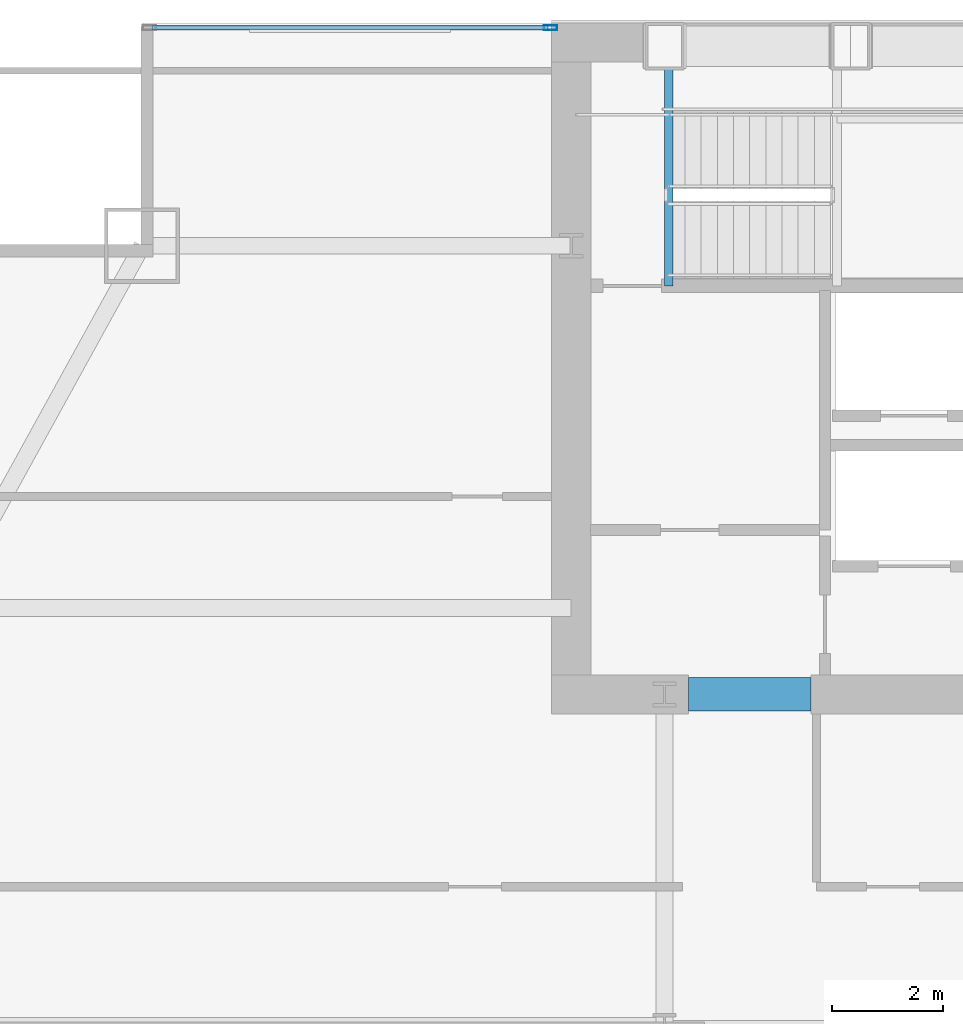
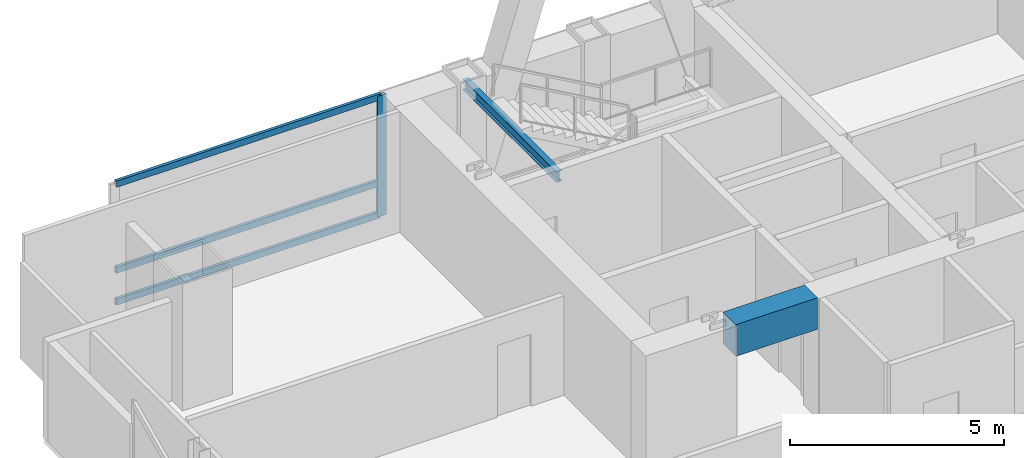
# One storey, part 18 of 30: 4 members, 2 beams, 1 element without a shape of its own.
"""IFC4 building model written with IfcOpenShell, lengths in metres."""

from ifc_helpers import new_model, si_unit, direction, frame, origin, origin_2d, place, context, subcontext, project, spatial, rectangle, hollow_rectangle, i_section, extrude, material, material_profile, profile_set, type_object, element, aggregate, save


model = new_model("IFC4")

# Units and contexts
model_context = context("Model", 3, precision=1e-05, world=origin(), true_north=direction((0.0, 1.0)))
body_context = subcontext(model_context, "Body", "Model", "MODEL_VIEW")
ifc_project = project(units=[si_unit("LENGTHUNIT", "METRE"), si_unit("AREAUNIT", "SQUARE_METRE"), si_unit("VOLUMEUNIT", "CUBIC_METRE"), si_unit("PLANEANGLEUNIT", "RADIAN"), si_unit("MASSUNIT", "GRAM", prefix="KILO")], contexts=[model_context])

# Site, building, storey
site_placement = place(None, origin())
site = spatial("IfcSite", under=ifc_project, at=site_placement, CompositionType="ELEMENT")
building_placement = place(site_placement, origin())
building = spatial("IfcBuilding", under=site, at=building_placement, Name="Khoronbel Lancet Exchange", CompositionType="ELEMENT")
storey_placement = place(building_placement, frame((0.0, 0.0, 157.800048828125)))
storey = spatial("IfcBuildingStorey", under=building, at=storey_placement, Name="L39", CompositionType="ELEMENT", Elevation=157.800048828125)

# Beams
ifc_material_1 = material(Name="Steel S355", Category="steel")
ifc_material_profile_1 = material_profile(ifc_material_1, i_section(OverallWidth=0.14990234375, OverallDepth=0.300048828125, WebThickness=0.007080078125, FlangeThickness=0.0107421875, at=origin_2d()), Name="IPE 300")
ifc_profile_set_1 = profile_set([ifc_material_profile_1], Name="Steel S355")
beam_type_1 = type_object("IfcBeamType", Name="BM-BJ8", PredefinedType="JOIST", material=ifc_profile_set_1)
beam_1_placement = place(storey_placement, frame((18.300048828125, 48.97998046875, 3.159912109375), z_axis=(0.0, 1.0, 0.0), x_axis=(-1.0, 0.0, 0.0)))
element("IfcBeam", 1, at=beam_1_placement, inside=storey, type_object=beam_type_1, Name="Level L39 stair ST1 upper-flight arrival trimmer beam", PredefinedType="JOIST", context=body_context, shape_type="SweptSolid", body=[
    extrude(i_section(OverallWidth=0.14990234375, OverallDepth=0.300048828125, WebThickness=0.007080078125, FlangeThickness=0.0107421875, at=origin_2d()), origin(), (0.0, 0.0, 1.0), 4.3701171875),
])
ifc_material_2 = material(Name="Concrete C80/95", Category="concrete")
ifc_material_profile_2 = material_profile(ifc_material_2, rectangle(XDim=0.60009765625, YDim=0.89990234375, at=origin_2d()), Name="RC 600x900")
ifc_profile_set_2 = profile_set([ifc_material_profile_2], Name="Concrete C80/95")
beam_type_2 = type_object("IfcBeamType", Name="BM-BL1", PredefinedType="LINTEL", material=ifc_profile_set_2)
beam_2_placement = place(storey_placement, frame((18.64990234375, 41.64990234375, 2.989990234375), z_axis=(1.0, 0.0, 0.0), x_axis=(0.0, 1.0, 0.0)))
element("IfcBeam", 2, at=beam_2_placement, inside=storey, type_object=beam_type_2, Name="Level L39 rear core coupling lintel L1", PredefinedType="LINTEL", context=body_context, shape_type="SweptSolid", body=[
    extrude(rectangle(XDim=0.60009765625, YDim=0.89990234375, at=origin_2d()), origin(), (0.0, 0.0, 1.0), 2.2001953125),
])

# Curtain wall, members
ifc_material_3 = material(Name="Low-E Solar Control Insulating Glass", Category="glass")
curtain_wall_type = type_object("IfcCurtainWallType", Name="CW-3", PredefinedType="NOTDEFINED", material=ifc_material_3)
curtain_wall_placement = place(storey_placement, origin())
curtain_wall = element("IfcCurtainWall", 3, at=curtain_wall_placement, inside=storey, type_object=curtain_wall_type, Name="Unitised curtain wall CW-L39-NWFLK", PredefinedType="NOTDEFINED")
ifc_material_4 = material(Name="Bronze-Anodised Aluminium 6063-T6", Category="aluminium")
ifc_material_profile_3 = material_profile(ifc_material_4, hollow_rectangle(XDim=0.0849609375, YDim=0.239990234375, WallThickness=0.006103515625, at=origin_2d()), Name="ALU MULLION 85x240")
ifc_profile_set_3 = profile_set([ifc_material_profile_3], Name="Bronze-Anodised Aluminium 6063-T6")
member_type_1 = type_object("IfcMemberType", Name="MEM-CWM1", PredefinedType="MULLION", material=ifc_profile_set_3)
member_1_placement = place(storey_placement, frame((16.177490234375, 53.610107421875, 0.0), z_axis=(0.0, 0.0, 1.0), x_axis=(0.0, -1.0, 0.0)))
member_1 = element("IfcMember", 4, at=member_1_placement, type_object=member_type_1, Name="CW3 mullion 1", PredefinedType="MULLION", context=body_context, shape_type="SweptSolid", body=[
    extrude(hollow_rectangle(XDim=0.0849609375, YDim=0.239990234375, WallThickness=0.006103515625, at=origin_2d()), origin(), (0.0, 0.0, 1.0), 3.43994140625),
])
ifc_material_profile_4 = material_profile(ifc_material_4, hollow_rectangle(XDim=0.0849609375, YDim=0.179931640625, WallThickness=0.0048828125, at=origin_2d()), Name="ALU TRANSOM 85x180")
ifc_profile_set_4 = profile_set([ifc_material_profile_4], Name="Bronze-Anodised Aluminium 6063-T6")
member_type_2 = type_object("IfcMemberType", Name="MEM-CWT1", PredefinedType="USERDEFINED", material=ifc_profile_set_4)
member_2_placement = place(storey_placement, frame((16.135009765625, 53.610107421875, 0.04248046875), z_axis=(-1.0, 0.0, 0.0), x_axis=(0.0, -1.0, 0.0)))
member_2 = element("IfcMember", 5, at=member_2_placement, type_object=member_type_2, Name="CW3 transom 1.1", ObjectType="TRANSOM", PredefinedType="USERDEFINED", context=body_context, shape_type="SweptSolid", body=[
    extrude(hollow_rectangle(XDim=0.0849609375, YDim=0.179931640625, WallThickness=0.0048828125, at=origin_2d()), origin(), (0.0, 0.0, 1.0), 7.110107421875),
])
member_3_placement = place(storey_placement, frame((16.135009765625, 53.610107421875, 0.949951171875), z_axis=(-1.0, 0.0, 0.0), x_axis=(0.0, -1.0, 0.0)))
member_3 = element("IfcMember", 6, at=member_3_placement, type_object=member_type_2, Name="CW3 transom 1.2", ObjectType="TRANSOM", PredefinedType="USERDEFINED", context=body_context, shape_type="SweptSolid", body=[
    extrude(hollow_rectangle(XDim=0.0849609375, YDim=0.179931640625, WallThickness=0.0048828125, at=origin_2d()), origin(), (0.0, 0.0, 1.0), 7.110107421875),
])
member_4_placement = place(storey_placement, frame((16.135009765625, 53.610107421875, 3.3974609375), z_axis=(-1.0, 0.0, 0.0), x_axis=(0.0, -1.0, 0.0)))
member_4 = element("IfcMember", 7, at=member_4_placement, type_object=member_type_2, Name="CW3 transom 1.3", ObjectType="TRANSOM", PredefinedType="USERDEFINED", context=body_context, shape_type="SweptSolid", body=[
    extrude(hollow_rectangle(XDim=0.0849609375, YDim=0.179931640625, WallThickness=0.0048828125, at=origin_2d()), origin(), (0.0, 0.0, 1.0), 7.110107421875),
])
aggregate(curtain_wall, [member_1, member_2, member_3, member_4])

save(model, "model.ifc")
